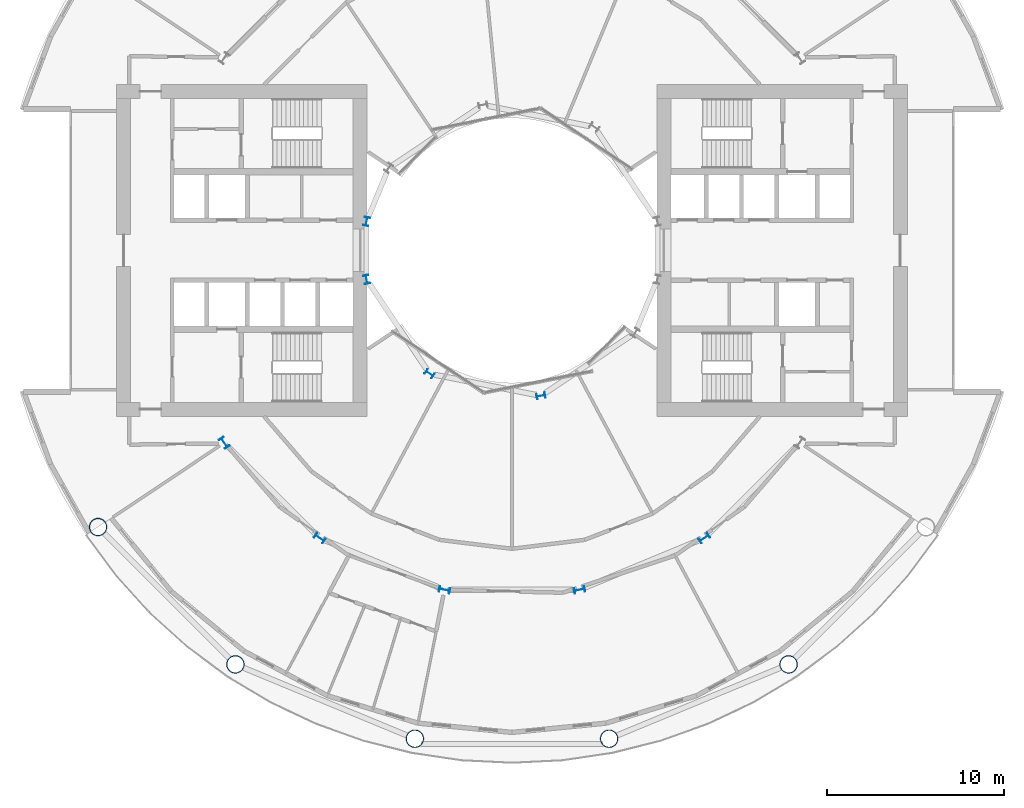
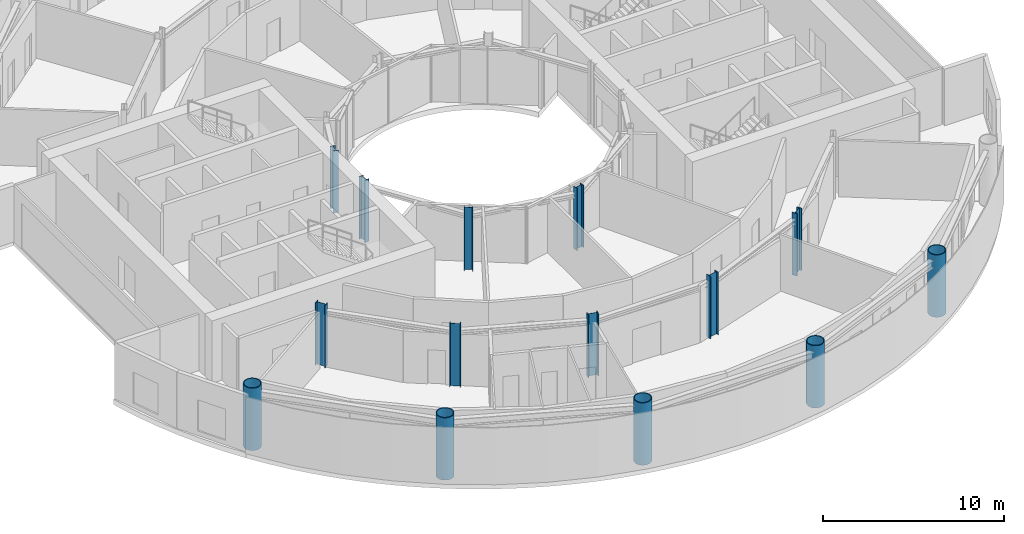
# One storey, part 1 of 19: 14 columns.
"""IFC4 building model written with IfcOpenShell, lengths in metres."""

from ifc_helpers import new_model, si_unit, direction, frame, origin, origin_2d, place, context, subcontext, project, spatial, hollow_circle, i_section, extrude, material, material_profile, profile_set, type_object, element, save


model = new_model("IFC4")

# Units and contexts
model_context = context("Model", 3, precision=1e-05, world=origin(), true_north=direction((0.0, 1.0)))
body_context = subcontext(model_context, "Body", "Model", "MODEL_VIEW")
ifc_project = project(units=[si_unit("LENGTHUNIT", "METRE"), si_unit("AREAUNIT", "SQUARE_METRE"), si_unit("VOLUMEUNIT", "CUBIC_METRE"), si_unit("PLANEANGLEUNIT", "RADIAN"), si_unit("MASSUNIT", "GRAM", prefix="KILO")], contexts=[model_context])

# Site, building, storey
site_placement = place(None, origin())
site = spatial("IfcSite", under=ifc_project, at=site_placement, CompositionType="ELEMENT")
building_placement = place(site_placement, origin())
building = spatial("IfcBuilding", under=site, at=building_placement, Name="Maasbend Ring Residences", CompositionType="ELEMENT")
storey_placement = place(building_placement, frame((0.0, 0.0, 53.300048828125)))
storey = spatial("IfcBuildingStorey", under=building, at=storey_placement, Name="L15", CompositionType="ELEMENT", Elevation=53.300048828125)

# Columns
ifc_material_1 = material(Name="Composite concrete-filled steel tube S460NH / C80/95", Category="concrete")
ifc_material_profile_1 = material_profile(ifc_material_1, hollow_circle(Radius=0.508056640625, WallThickness=0.050048828125, at=origin_2d()), Name="Composite tube column CHS 1016x50")
ifc_profile_set_1 = profile_set([ifc_material_profile_1], Name="Composite concrete-filled steel tube S460NH / C80/95")
column_type_1 = type_object("IfcColumnType", Name="Composite tube column CHS 1016x50", PredefinedType="COLUMN", material=ifc_profile_set_1)
for number, where, z_axis, x_axis, name in (
    (1, (-23.447509765625, -15.6669921875, 0.0), (0.0, 0.0, 1.0), (1.0, 0.0, 0.0), "Outer column R10"),
    (2, (-15.6669921875, -23.447509765625, 0.0), (0.0, 0.0, 1.0), (1.0, 0.0, 0.0), "Outer column R11"),
    (3, (-5.50146484375, -27.658203125, 0.0), (0.0, 0.0, 1.0), (1.0, 0.0, 0.0), "Outer column R12"),
    (4, (5.50146484375, -27.658203125, 0.0), (0.0, 0.0, 1.0), (1.0, 0.0, 0.0), "Outer column R13"),
    (5, (15.6669921875, -23.447509765625, 0.0), (0.0, 0.0, 1.0), (1.0, 0.0, 0.0), "Outer column R14"),
):
    element("IfcColumn", number, at=place(storey_placement, frame(where, z_axis=z_axis, x_axis=x_axis)), inside=storey, type_object=column_type_1, Name=name, PredefinedType="COLUMN", context=body_context, shape_type="SweptSolid", body=[
        extrude(hollow_circle(Radius=0.508056640625, WallThickness=0.050048828125, at=origin_2d()), origin(), (0.0, 0.0, 1.0), 4.199951171875),
    ])
ifc_material_2 = material(Name="Steel S355J2", Category="steel")
ifc_material_profile_2 = material_profile(ifc_material_2, i_section(OverallWidth=0.300048828125, OverallDepth=0.5, WebThickness=0.014404296875, FlangeThickness=0.028076171875, FilletRadius=0.027099609375, at=origin_2d()), Name="HEB 500")
ifc_profile_set_2 = profile_set([ifc_material_profile_2], Name="Steel S355J2")
column_type_2 = type_object("IfcColumnType", Name="Steel column HEB 500", PredefinedType="COLUMN", material=ifc_profile_set_2)
for number, where, z_axis, x_axis, name in (
    (6, (-8.238525390625, 1.638916015625, 0.0), (0.0, 0.0, 1.0), (-0.980785280403, 0.195090322016, 0.0), "Well ring column R8"),
    (7, (-8.238525390625, -1.638916015625, 0.0), (0.0, 0.0, 1.0), (-0.980785280403, -0.195090322016, 0.0), "Well ring column R9"),
    (8, (-4.666748046875, -6.984375, 0.0), (0.0, 0.0, 1.0), (-0.55557023302, -0.831469612303, 0.0), "Well ring column R11"),
    (9, (1.638916015625, -8.238525390625, 0.0), (0.0, 0.0, 1.0), (0.195090322016, -0.980785280403, 0.0), "Well ring column R13"),
):
    element("IfcColumn", number, at=place(storey_placement, frame(where, z_axis=z_axis, x_axis=x_axis)), inside=storey, type_object=column_type_2, Name=name, PredefinedType="COLUMN", context=body_context, shape_type="SweptSolid", body=[
        extrude(i_section(OverallWidth=0.300048828125, OverallDepth=0.5, WebThickness=0.014404296875, FlangeThickness=0.028076171875, FilletRadius=0.027099609375, at=origin_2d()), origin(), (0.0, 0.0, 1.0), 4.199951171875),
    ])
ifc_material_3 = material(Name="Steel S460M", Category="steel")
ifc_material_profile_3 = material_profile(ifc_material_3, i_section(OverallWidth=0.304931640625, OverallDepth=0.6201171875, WebThickness=0.02099609375, FlangeThickness=0.0400390625, FilletRadius=0.027099609375, at=origin_2d()), Name="HEM 600")
ifc_profile_set_3 = profile_set([ifc_material_profile_3], Name="Steel S460M")
column_type_3 = type_object("IfcColumnType", Name="Steel column HEM 600", PredefinedType="COLUMN", material=ifc_profile_set_3)
for number, where, z_axis, x_axis, name in (
    (10, (-16.296875, -10.88916015625, 0.0), (0.0, 0.0, 1.0), (-0.831469612303, -0.55557023302, 0.0), "Corridor ring column R10"),
    (11, (-10.88916015625, -16.296875, 0.0), (0.0, 0.0, 1.0), (-0.55557023302, -0.831469612303, 0.0), "Corridor ring column R11"),
    (12, (-3.82373046875, -19.223388671875, 0.0), (0.0, 0.0, 1.0), (-0.195090322016, -0.980785280403, 0.0), "Corridor ring column R12"),
    (13, (3.82373046875, -19.223388671875, 0.0), (0.0, 0.0, 1.0), (0.195090322016, -0.980785280403, 0.0), "Corridor ring column R13"),
    (14, (10.88916015625, -16.296875, 0.0), (0.0, 0.0, 1.0), (0.55557023302, -0.831469612303, 0.0), "Corridor ring column R14"),
):
    element("IfcColumn", number, at=place(storey_placement, frame(where, z_axis=z_axis, x_axis=x_axis)), inside=storey, type_object=column_type_3, Name=name, PredefinedType="COLUMN", context=body_context, shape_type="SweptSolid", body=[
        extrude(i_section(OverallWidth=0.304931640625, OverallDepth=0.6201171875, WebThickness=0.02099609375, FlangeThickness=0.0400390625, FilletRadius=0.027099609375, at=origin_2d()), origin(), (0.0, 0.0, 1.0), 4.199951171875),
    ])

save(model, "model.ifc")
